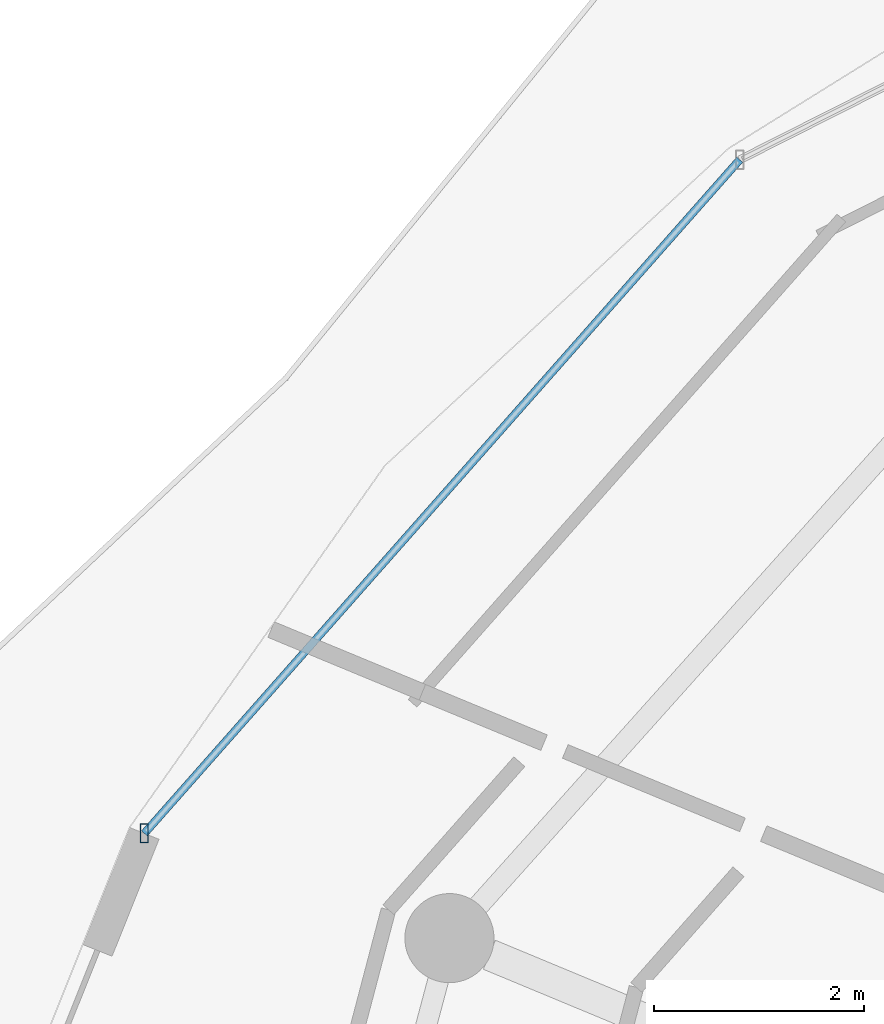
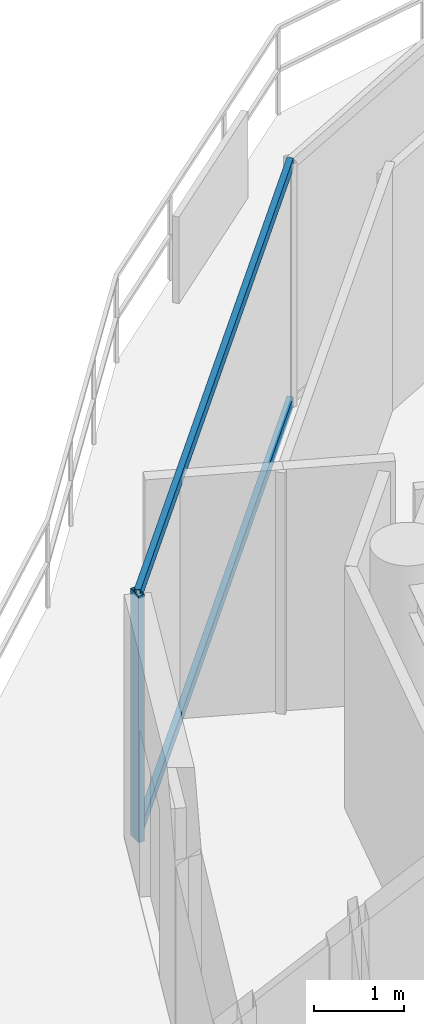
# One storey, part 8 of 30: 3 members, 1 element without a shape of its own.
"""IFC4 building model written with IfcOpenShell, lengths in metres."""

from ifc_helpers import new_model, si_unit, direction, frame, origin, origin_2d, place, context, subcontext, project, spatial, hollow_rectangle, extrude, material, material_profile, profile_set, type_object, element, aggregate, save


model = new_model("IFC4")

# Units and contexts
model_context = context("Model", 3, precision=1e-05, world=origin(), true_north=direction((0.0, 1.0)))
body_context = subcontext(model_context, "Body", "Model", "MODEL_VIEW")
ifc_project = project(units=[si_unit("LENGTHUNIT", "METRE"), si_unit("AREAUNIT", "SQUARE_METRE"), si_unit("VOLUMEUNIT", "CUBIC_METRE"), si_unit("PLANEANGLEUNIT", "RADIAN"), si_unit("MASSUNIT", "GRAM", prefix="KILO")], contexts=[model_context])

# Site, building, storey
site_placement = place(None, origin())
site = spatial("IfcSite", under=ifc_project, at=site_placement, CompositionType="ELEMENT")
building_placement = place(site_placement, origin())
building = spatial("IfcBuilding", under=site, at=building_placement, Name="Vorneva Point Tower", CompositionType="ELEMENT")
storey_placement = place(building_placement, frame((0.0, 0.0, 234.25)))
storey = spatial("IfcBuildingStorey", under=building, at=storey_placement, Name="L63", CompositionType="ELEMENT", Elevation=234.25)

# Curtain wall, members
ifc_material = material(Name="Pale anodised aluminium", Category="aluminium")
curtain_wall_type = type_object("IfcCurtainWallType", Name="CW-RES-SYS", PredefinedType="NOTDEFINED", material=ifc_material)
curtain_wall_placement = place(storey_placement, origin())
curtain_wall = element("IfcCurtainWall", 1, at=curtain_wall_placement, inside=storey, type_object=curtain_wall_type, Name="L63 Unitised Curtain Wall CW-L63-R02", PredefinedType="NOTDEFINED")
ifc_material_profile_1 = material_profile(ifc_material, hollow_rectangle(XDim=0.074951171875, YDim=0.179931640625, WallThickness=0.00390625, at=origin_2d()), Name="AL-MUL 180x75x4")
ifc_profile_set_1 = profile_set([ifc_material_profile_1], Name="Pale anodised aluminium")
member_type_1 = type_object("IfcMemberType", Name="CW-MUL-180", PredefinedType="MULLION", material=ifc_profile_set_1)
member_1_placement = place(storey_placement, frame((13.79443359375, 33.5810546875, -0.0400390625), z_axis=(0.0, 0.0, 1.0), x_axis=(1.0, 0.0, 0.0)))
member_1 = element("IfcMember", 2, at=member_1_placement, type_object=member_type_1, Name="CW-L63-R02 Mullion 06", PredefinedType="MULLION", context=body_context, shape_type="SweptSolid", body=[
    extrude(hollow_rectangle(XDim=0.074951171875, YDim=0.179931640625, WallThickness=0.00390625, at=origin_2d()), origin(), (0.0, 0.0, 1.0), 3.360107421875),
])
ifc_material_profile_2 = material_profile(ifc_material, hollow_rectangle(XDim=0.074951171875, YDim=0.14990234375, WallThickness=0.00390625, at=origin_2d()), Name="AL-TRN 150x75x4")
ifc_profile_set_2 = profile_set([ifc_material_profile_2], Name="Pale anodised aluminium")
member_type_2 = type_object("IfcMemberType", Name="CW-TRN-150", PredefinedType="USERDEFINED", material=ifc_profile_set_2)
member_2_placement = place(storey_placement, frame((19.473876953125, 40.0078125, 0.02001953125), z_axis=(-0.662196681357, -0.74933007093, 0.0), x_axis=(0.74933007093, -0.662196681357, 0.0)))
member_2 = element("IfcMember", 3, at=member_2_placement, type_object=member_type_2, Name="CW-L63-R02 Transom 05.1", ObjectType="TRANSOM", PredefinedType="USERDEFINED", context=body_context, shape_type="SweptSolid", body=[
    extrude(hollow_rectangle(XDim=0.074951171875, YDim=0.14990234375, WallThickness=0.00390625, at=origin_2d()), origin(), (0.0, 0.0, 1.0), 8.57666015625),
])
member_3_placement = place(storey_placement, frame((19.473876953125, 40.0078125, 3.27001953125), z_axis=(-0.662196681357, -0.74933007093, 0.0), x_axis=(0.74933007093, -0.662196681357, 0.0)))
member_3 = element("IfcMember", 4, at=member_3_placement, type_object=member_type_2, Name="CW-L63-R02 Transom 05.2", ObjectType="TRANSOM", PredefinedType="USERDEFINED", context=body_context, shape_type="SweptSolid", body=[
    extrude(hollow_rectangle(XDim=0.074951171875, YDim=0.14990234375, WallThickness=0.00390625, at=origin_2d()), origin(), (0.0, 0.0, 1.0), 8.57666015625),
])
aggregate(curtain_wall, [member_1, member_2, member_3])

save(model, "model.ifc")
